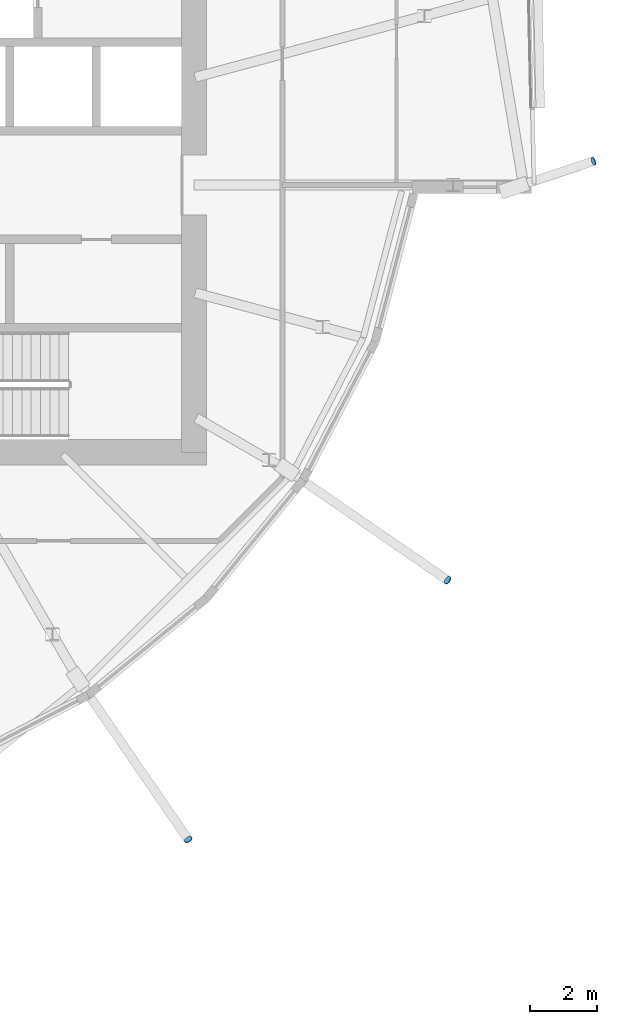
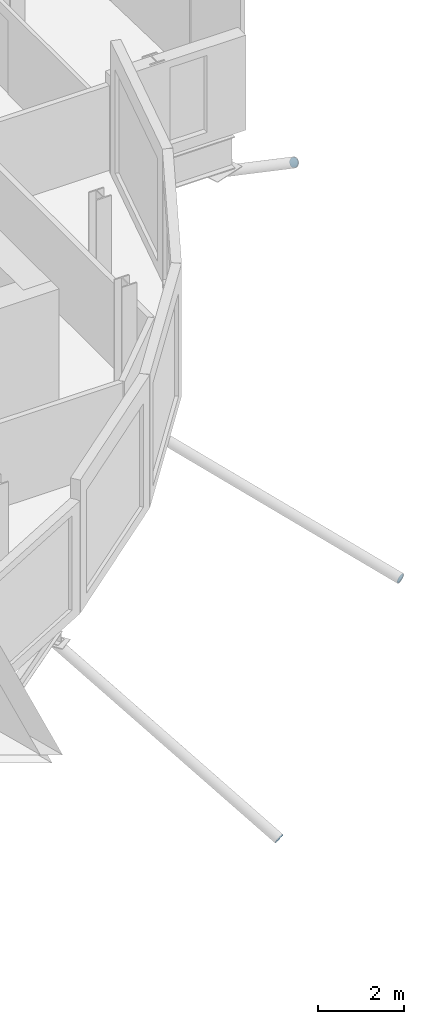
# One storey, part 31 of 39: 3 discrete accessories.
"""IFC4 building model written with IfcOpenShell, lengths in metres."""

import ifcopenshell
import ifcopenshell.guid

model = None  # the IFC model being written
_history = None  # IfcOwnerHistory: only IFC2X3 demands one
_inside = {}  # id of a spatial element -> (the spatial element, [elements in it])
_under = {}  # id of a project, library or spatial element -> (it, [spatial elements below it])
_declared = {}  # id of a project -> (the project, [libraries it declares])
_typed = {}  # id of a type object -> (the type object, [elements of that type])
_made_of = {}  # id of a material, layer set ... -> (it, [elements and type objects made of it])


def new_model(schema):
    """Start an empty IFC model of exactly this schema.

    Asked for "IFC4X3", IfcOpenShell would pick the latest addendum, in which some entities
    have other attributes; the version numbers below select the first issue.
    IFC2X3 requires an IfcOwnerHistory on every rooted entity: one is made here for all.
    """
    global model, _history
    if schema == "IFC4X3":
        model = ifcopenshell.file(schema_version=(4, 3, 0, 0))
    else:
        model = ifcopenshell.file(schema=schema)
    _inside.clear()
    _under.clear()
    _declared.clear()
    _typed.clear()
    _made_of.clear()
    _history = None
    if model.schema == "IFC2X3":
        org = make("IfcOrganization", Name="unknown")
        user = make(
            "IfcPersonAndOrganization",
            ThePerson=make("IfcPerson", FamilyName="unknown"),
            TheOrganization=org,
        )
        app = make(
            "IfcApplication",
            ApplicationDeveloper=org,
            Version="unknown",
            ApplicationFullName="unknown",
            ApplicationIdentifier="unknown",
        )
        _history = make(
            "IfcOwnerHistory",
            OwningUser=user,
            OwningApplication=app,
            ChangeAction="ADDED",
            CreationDate=0,
        )
    return model


def make(cls, **values):
    """One entity of the class cls with the attributes given. An attribute that is None is left unset."""
    return model.create_entity(
        cls, **{name: value for name, value in values.items() if value is not None}
    )


def rooted(cls, **values):
    """An entity with a GlobalId (a new one), such as an element, a storey or a relation."""
    return make(cls, GlobalId=ifcopenshell.guid.new(), OwnerHistory=_history, **values)


def si_unit(unit_type, name, prefix=None):
    """IfcSIUnit, for example si_unit("LENGTHUNIT", "METRE", prefix="MILLI")."""
    return make("IfcSIUnit", UnitType=unit_type, Prefix=prefix, Name=name)


def assignment(units):
    """IfcUnitAssignment: the units of a project."""
    return None if units is None else make("IfcUnitAssignment", Units=units)


def point(xyz):
    """IfcCartesianPoint."""
    return None if xyz is None else make("IfcCartesianPoint", Coordinates=xyz)


def direction(xyz):
    """IfcDirection."""
    return None if xyz is None else make("IfcDirection", DirectionRatios=xyz)


def frame(location, z_axis=None, x_axis=None):
    """IfcAxis2Placement3D, a coordinate frame: its origin and axes. An axis left out is left unset."""
    return make(
        "IfcAxis2Placement3D",
        Location=point(location),
        Axis=direction(z_axis),
        RefDirection=direction(x_axis),
    )


def frame_2d(location, x_axis=None):
    """IfcAxis2Placement2D, a coordinate frame in the plane: its origin and x axis."""
    return make(
        "IfcAxis2Placement2D", Location=point(location), RefDirection=direction(x_axis)
    )


def origin():
    """The frame at (0, 0, 0) with its axes left unset."""
    return frame((0.0, 0.0, 0.0))


def origin_2d():
    """The frame at (0, 0) in the plane with its x axis left unset."""
    return frame_2d((0.0, 0.0))


def place(relative_to, where):
    """IfcLocalPlacement: puts the frame where relative to a parent placement (None: the world)."""
    return make(
        "IfcLocalPlacement", PlacementRelTo=relative_to, RelativePlacement=where
    )


def context(
    kind, dimensions, precision=None, world=None, true_north=None, identifier=None
):
    """IfcGeometricRepresentationContext, for example the 3D "Model" context."""
    return make(
        "IfcGeometricRepresentationContext",
        ContextIdentifier=identifier,
        ContextType=kind,
        CoordinateSpaceDimension=dimensions,
        Precision=precision,
        WorldCoordinateSystem=world,
        TrueNorth=true_north,
    )


def subcontext(parent, identifier, kind, view, scale=None):
    """IfcGeometricRepresentationSubContext, for example "Body" below "Model"."""
    return make(
        "IfcGeometricRepresentationSubContext",
        ContextIdentifier=identifier,
        ContextType=kind,
        ParentContext=parent,
        TargetScale=scale,
        TargetView=view,
    )


def project(units=None, contexts=None):
    """IfcProject with its units and contexts."""
    return rooted(
        "IfcProject",
        Name="project",
        RepresentationContexts=contexts,
        UnitsInContext=assignment(units),
    )


def spatial(cls, under=None, at=None, **own):
    """A site, building, storey or space (cls), placed at a placement, below another one or the project."""
    s = rooted(cls, ObjectPlacement=at, **own)
    if under is not None:
        _under.setdefault(under.id(), (under, []))[1].append(s)
    return s


def profile(cls, at=None, kind="AREA", **sizes):
    """A parametric profile (cls). Its sizes go by their IFC names, for example OverallWidth=200.0."""
    return make(cls, ProfileType=kind, Position=at, **sizes)


def circle(**sizes):
    """IfcCircleProfileDef."""
    return profile("IfcCircleProfileDef", **sizes)


def extrude(swept, where, along, depth):
    """IfcExtrudedAreaSolid: the profile swept, set in the frame where, extruded along a direction by depth."""
    return make(
        "IfcExtrudedAreaSolid",
        SweptArea=swept,
        Position=where,
        ExtrudedDirection=direction(along),
        Depth=depth,
    )


def shape(context_of_items, identifier, shape_type, items):
    """IfcShapeRepresentation: the items that make up one representation, for example the "Body"."""
    return make(
        "IfcShapeRepresentation",
        ContextOfItems=context_of_items,
        RepresentationIdentifier=identifier,
        RepresentationType=shape_type,
        Items=items,
    )


def material(Name=None, Category=None):
    """IfcMaterial."""
    return make("IfcMaterial", Name=Name, Category=Category)


def material_profile(
    of_material, cross_section, Name=None, Category=None, Priority=None
):
    """IfcMaterialProfile: a cross section and its material."""
    return make(
        "IfcMaterialProfile",
        Name=Name,
        Material=of_material,
        Profile=cross_section,
        Priority=Priority,
        Category=Category,
    )


def profile_set(profiles, Name=None, composite=None):
    """IfcMaterialProfileSet."""
    return make(
        "IfcMaterialProfileSet",
        Name=Name,
        MaterialProfiles=profiles,
        CompositeProfile=composite,
    )


def made_of(thing, what):
    """Note that an element or type object is made of a material, layer set ...; save() writes the relation."""
    if what is not None:
        _made_of.setdefault(what.id(), (what, []))[1].append(thing)
    return thing


def type_object(cls, material=None, **own):
    """A type object (cls), such as IfcWallType, which elements share."""
    return made_of(rooted(cls, **own), material)


def element(
    cls,
    number,
    at=None,
    inside=None,
    cuts=None,
    type_object=None,
    material=None,
    context=None,
    identifier="Body",
    shape_type=None,
    held_by="IfcProductDefinitionShape",
    body=None,
    shapes=None,
    **own,
):
    """One element of the class cls, such as IfcWall. Its Tag is "e" and its number.

    at: its placement. inside: the storey or other place that contains it. cuts: it is an
    opening in that element (IfcRelVoidsElement). A single representation is given by context,
    identifier, shape_type and body (its items); several are given by shapes. held_by: the class
    of the entity that holds the representations. save() writes the other relations.
    """
    e = rooted(cls, Tag="e%d" % number, ObjectPlacement=at, **own)
    if body is not None:
        shapes = [shape(context, identifier, shape_type, body)]
    if shapes is not None:
        e.Representation = make(held_by, Representations=shapes)
    if inside is not None:
        _inside.setdefault(inside.id(), (inside, []))[1].append(e)
    if cuts is not None:
        rooted(
            "IfcRelVoidsElement", RelatingBuildingElement=cuts, RelatedOpeningElement=e
        )
    if type_object is not None:
        _typed.setdefault(type_object.id(), (type_object, []))[1].append(e)
    return made_of(e, material)


def aggregate(whole, parts):
    """IfcRelAggregates: a whole, such as a stair, and the parts it consists of."""
    return rooted("IfcRelAggregates", RelatingObject=whole, RelatedObjects=parts)


def save(model, path):
    """Write the relations noted so far, then the file.

    IfcRelAggregates (storeys below a building ...), IfcRelContainedInSpatialStructure (elements
    in a storey), IfcRelDefinesByType, IfcRelAssociatesMaterial and IfcRelDeclares: one each for
    every whole, place, type object, material and project.
    """
    for whole, parts in _under.values():
        aggregate(whole, parts)
    for where, things in _inside.values():
        rooted(
            "IfcRelContainedInSpatialStructure",
            RelatedElements=things,
            RelatingStructure=where,
        )
    for kind, things in _typed.values():
        rooted("IfcRelDefinesByType", RelatedObjects=things, RelatingType=kind)
    for what, things in _made_of.values():
        rooted("IfcRelAssociatesMaterial", RelatedObjects=things, RelatingMaterial=what)
    for by, libraries in _declared.values():
        rooted("IfcRelDeclares", RelatingContext=by, RelatedDefinitions=libraries)
    model.write(path)


model = new_model("IFC4")

# Units and contexts
model_context = context("Model", 3, precision=1e-05, world=origin(), true_north=direction((0.0, 1.0)))
body_context = subcontext(model_context, "Body", "Model", "MODEL_VIEW")
ifc_project = project(units=[si_unit("LENGTHUNIT", "METRE"), si_unit("AREAUNIT", "SQUARE_METRE"), si_unit("VOLUMEUNIT", "CUBIC_METRE"), si_unit("PLANEANGLEUNIT", "RADIAN"), si_unit("MASSUNIT", "GRAM", prefix="KILO")], contexts=[model_context])

# Site, building, storey
site_placement = place(None, origin())
site = spatial("IfcSite", under=ifc_project, at=site_placement, CompositionType="ELEMENT")
building_placement = place(site_placement, origin())
building = spatial("IfcBuilding", under=site, at=building_placement, Name="Rimbun Link Towers", CompositionType="ELEMENT")
storey_placement = place(building_placement, frame((0.0, 0.0, 96.800048828125)))
storey = spatial("IfcBuildingStorey", under=building, at=storey_placement, Name="L23", CompositionType="ELEMENT", Elevation=96.800048828125)

# Discrete accessories
ifc_material = material(Name="Steel S355J2H", Category="steel")
ifc_material_profile = material_profile(ifc_material, circle(Radius=0.1240234375, at=origin_2d()), Name="PL D248")
ifc_profile_set = profile_set([ifc_material_profile], Name="Steel S355J2H")
discrete_accessory_type = type_object("IfcDiscreteAccessoryType", Name="Link foot sealing plate D248X20", PredefinedType="BRACKET", material=ifc_profile_set)
for number, where, z_axis, x_axis, name in (
    (1, (43.57666015625, -19.591064453125, -4.892333984375), (0.473886208067, -0.68045199107, -0.55894270695), (0.820606415655, 0.57149375376, 0.0), "Link foot sealing plate T2 L23 17"),
    (2, (51.341064453125, -11.82666015625, -4.892333984375), (0.68045199107, -0.473886208067, -0.55894270695), (0.57149375376, 0.820606415655, 0.0), "Link foot sealing plate T2 L23 19"),
):
    element("IfcDiscreteAccessory", number, at=place(storey_placement, frame(where, z_axis=z_axis, x_axis=x_axis)), inside=storey, type_object=discrete_accessory_type, Name=name, PredefinedType="BRACKET", context=body_context, shape_type="SweptSolid", body=[
        extrude(circle(Radius=0.1240234375, at=origin_2d()), origin(), (0.0, 0.0, 1.0), 0.02001953125),
    ])
discrete_accessory_placement = place(storey_placement, frame((55.710205078125, 0.71240234375, -2.15576171875), z_axis=(0.871247627745, 0.294506240364, -0.392674987153), x_axis=(-0.32022779857, 0.947340570768, 0.0)))
element("IfcDiscreteAccessory", 3, at=discrete_accessory_placement, inside=storey, type_object=discrete_accessory_type, Name="Link foot sealing plate T2 L23 21", PredefinedType="BRACKET", context=body_context, shape_type="SweptSolid", body=[
    extrude(circle(Radius=0.1240234375, at=origin_2d()), origin(), (0.0, 0.0, 1.0), 0.019775390625),
])

save(model, "model.ifc")
